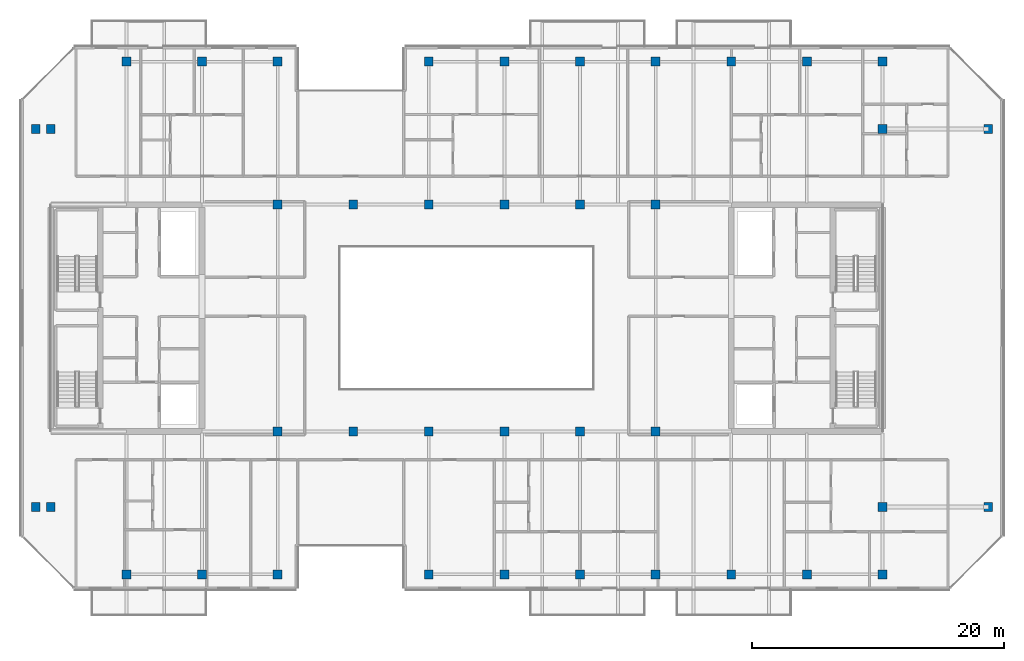
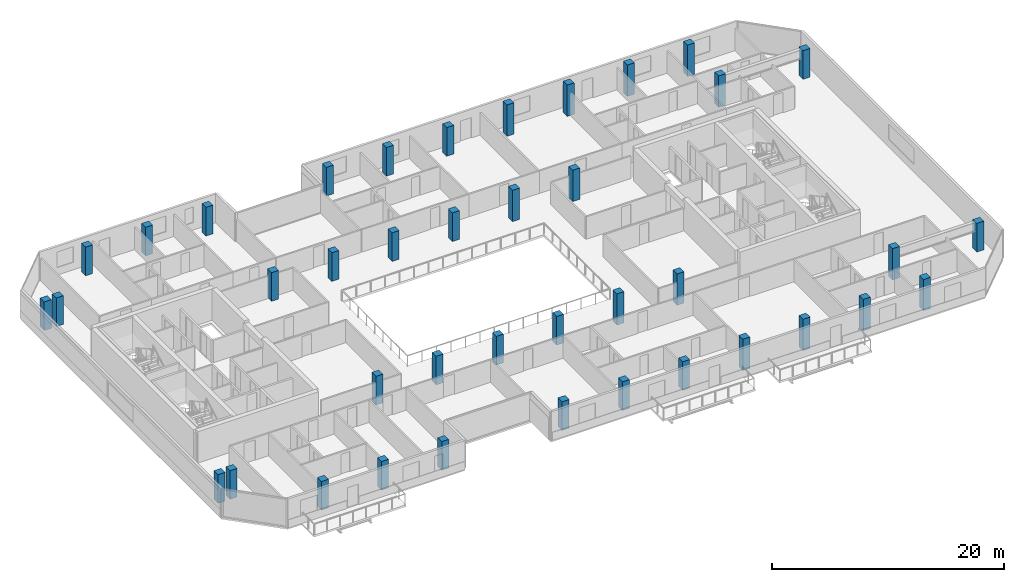
# One storey, part 1 of 24: 40 columns.
"""IFC4 building model written with IfcOpenShell, lengths in metres."""

from ifc_helpers import new_model, si_unit, direction, frame, origin, origin_2d, place, context, subcontext, project, spatial, rectangle, extrude, material, material_profile, profile_set, type_object, element, save


model = new_model("IFC4")

# Units and contexts
model_context = context("Model", 3, precision=1e-05, world=origin(), true_north=direction((0.0, 1.0)))
body_context = subcontext(model_context, "Body", "Model", "MODEL_VIEW")
ifc_project = project(units=[si_unit("LENGTHUNIT", "METRE"), si_unit("AREAUNIT", "SQUARE_METRE"), si_unit("VOLUMEUNIT", "CUBIC_METRE"), si_unit("PLANEANGLEUNIT", "RADIAN"), si_unit("MASSUNIT", "GRAM", prefix="KILO")], contexts=[model_context])

# Site, building, storey
site_placement = place(None, origin())
site = spatial("IfcSite", under=ifc_project, at=site_placement, CompositionType="ELEMENT")
building_placement = place(site_placement, origin())
building = spatial("IfcBuilding", under=site, at=building_placement, Name="Tanjung Sevakor Pilgrim Tower", CompositionType="ELEMENT")
storey_placement = place(building_placement, frame((0.0, 0.0, 226.050048828125)))
storey = spatial("IfcBuildingStorey", under=building, at=storey_placement, Name="L63", CompositionType="ELEMENT", Elevation=226.050048828125)

# Columns
ifc_material = material(Name="Concrete C60/75", Category="concrete")
ifc_material_profile = material_profile(ifc_material, rectangle(XDim=0.699951171875, YDim=0.699951171875, at=origin_2d()))
ifc_profile_set = profile_set([ifc_material_profile], Name="Concrete C60/75")
column_type = type_object("IfcColumnType", Name="COL-C-T700-RC_700x700", PredefinedType="COLUMN", material=ifc_profile_set)
for number, where, z_axis, x_axis, name in (
    (1, (42.0, 24.60009765625, 0.0), (0.0, 0.0, 1.0), (1.0, 0.0, 0.0), "L63 Column SPW-042-246"),
    (2, (42.0, 42.60009765625, 0.0), (0.0, 0.0, 1.0), (1.0, 0.0, 0.0), "L63 Column SPW-042-426"),
    (3, (48.0, 24.60009765625, 0.0), (0.0, 0.0, 1.0), (1.0, 0.0, 0.0), "L63 Column SPW-048-246"),
    (4, (48.0, 42.60009765625, 0.0), (0.0, 0.0, 1.0), (1.0, 0.0, 0.0), "L63 Column SPW-048-426"),
    (5, (54.0, 24.60009765625, 0.0), (0.0, 0.0, 1.0), (1.0, 0.0, 0.0), "L63 Column SPE-054-246"),
    (6, (54.0, 42.60009765625, 0.0), (0.0, 0.0, 1.0), (1.0, 0.0, 0.0), "L63 Column SPE-054-426"),
    (7, (60.0, 24.60009765625, 0.0), (0.0, 0.0, 1.0), (1.0, 0.0, 0.0), "L63 Column SPE-060-246"),
    (8, (60.0, 42.60009765625, 0.0), (0.0, 0.0, 1.0), (1.0, 0.0, 0.0), "L63 Column SPE-060-426"),
):
    element("IfcColumn", number, at=place(storey_placement, frame(where, z_axis=z_axis, x_axis=x_axis)), inside=storey, type_object=column_type, Name=name, PredefinedType="COLUMN", context=body_context, shape_type="SweptSolid", body=[
        extrude(rectangle(XDim=0.699951171875, YDim=0.699951171875, at=origin_2d()), origin(), (0.0, 0.0, 1.0), 3.02001953125),
    ])
for number, where, z_axis, x_axis, name in (
    (9, (66.0, 24.60009765625, 0.0), (0.0, 0.0, 1.0), (1.0, 0.0, 0.0), "L63 Column SPE-066-246"),
    (10, (66.0, 42.60009765625, 0.0), (0.0, 0.0, 1.0), (1.0, 0.0, 0.0), "L63 Column SPE-066-426"),
    (11, (72.0, 24.60009765625, 0.0), (0.0, 0.0, 1.0), (1.0, 0.0, 0.0), "L63 Column SPE-072-246"),
    (12, (72.0, 42.60009765625, 0.0), (0.0, 0.0, 1.0), (1.0, 0.0, 0.0), "L63 Column SPE-072-426"),
):
    element("IfcColumn", number, at=place(storey_placement, frame(where, z_axis=z_axis, x_axis=x_axis)), inside=storey, type_object=column_type, Name=name, PredefinedType="COLUMN", context=body_context, shape_type="SweptSolid", body=[
        extrude(rectangle(XDim=0.699951171875, YDim=0.699951171875, at=origin_2d()), origin(), (0.0, 0.0, 1.0), 3.300048828125),
    ])
for number, where, z_axis, x_axis, name in (
    (13, (22.800048828125, 18.60009765625, 0.0), (0.0, 0.0, 1.0), (1.0, 0.0, 0.0), "L63 Column TCE-0228-186"),
    (14, (22.800048828125, 48.60009765625, 0.0), (0.0, 0.0, 1.0), (1.0, 0.0, 0.0), "L63 Column TCE-0228-486"),
    (15, (24.0, 18.60009765625, 0.0), (0.0, 0.0, 1.0), (1.0, 0.0, 0.0), "L63 Column TCE-0240-186"),
    (16, (24.0, 48.60009765625, 0.0), (0.0, 0.0, 1.0), (1.0, 0.0, 0.0), "L63 Column TCE-0240-486"),
):
    element("IfcColumn", number, at=place(storey_placement, frame(where, z_axis=z_axis, x_axis=x_axis)), inside=storey, type_object=column_type, Name=name, PredefinedType="COLUMN", context=body_context, shape_type="SweptSolid", body=[
        extrude(rectangle(XDim=0.699951171875, YDim=0.699951171875, at=origin_2d()), origin(), (0.0, 0.0, 1.0), 3.02001953125),
    ])
for number, where, z_axis, x_axis, name in (
    (17, (90.0, 18.60009765625, 0.0), (0.0, 0.0, 1.0), (1.0, 0.0, 0.0), "L63 Column TCE-0900-186"),
    (18, (90.0, 48.60009765625, 0.0), (0.0, 0.0, 1.0), (1.0, 0.0, 0.0), "L63 Column TCE-0900-486"),
):
    element("IfcColumn", number, at=place(storey_placement, frame(where, z_axis=z_axis, x_axis=x_axis)), inside=storey, type_object=column_type, Name=name, PredefinedType="COLUMN", context=body_context, shape_type="SweptSolid", body=[
        extrude(rectangle(XDim=0.699951171875, YDim=0.699951171875, at=origin_2d()), origin(), (0.0, 0.0, 1.0), 3.300048828125),
    ])
for number, where, z_axis, x_axis, name in (
    (19, (98.39990234375, 18.60009765625, 0.0), (0.0, 0.0, 1.0), (1.0, 0.0, 0.0), "L63 Column TCE-0984-186"),
    (20, (98.39990234375, 48.60009765625, 0.0), (0.0, 0.0, 1.0), (1.0, 0.0, 0.0), "L63 Column TCE-0984-486"),
    (21, (30.0, 13.25, 0.0), (0.0, 0.0, 1.0), (1.0, 0.0, 0.0), "L63 Column TC4-030-132"),
    (22, (30.0, 53.949951171875, 0.0), (0.0, 0.0, 1.0), (1.0, 0.0, 0.0), "L63 Column TC4-030-540"),
    (23, (36.0, 13.25, 0.0), (0.0, 0.0, 1.0), (1.0, 0.0, 0.0), "L63 Column TC4-036-132"),
    (24, (36.0, 53.949951171875, 0.0), (0.0, 0.0, 1.0), (1.0, 0.0, 0.0), "L63 Column TC4-036-540"),
    (25, (42.0, 13.25, 0.0), (0.0, 0.0, 1.0), (1.0, 0.0, 0.0), "L63 Column TC4-042-132"),
    (26, (42.0, 53.949951171875, 0.0), (0.0, 0.0, 1.0), (1.0, 0.0, 0.0), "L63 Column TC4-042-540"),
    (27, (54.0, 13.25, 0.0), (0.0, 0.0, 1.0), (1.0, 0.0, 0.0), "L63 Column TC4-054-132"),
    (28, (54.0, 53.949951171875, 0.0), (0.0, 0.0, 1.0), (1.0, 0.0, 0.0), "L63 Column TC4-054-540"),
    (29, (60.0, 13.25, 0.0), (0.0, 0.0, 1.0), (1.0, 0.0, 0.0), "L63 Column TC4-060-132"),
    (30, (60.0, 53.949951171875, 0.0), (0.0, 0.0, 1.0), (1.0, 0.0, 0.0), "L63 Column TC4-060-540"),
    (31, (66.0, 13.25, 0.0), (0.0, 0.0, 1.0), (1.0, 0.0, 0.0), "L63 Column TC4-066-132"),
    (32, (66.0, 53.949951171875, 0.0), (0.0, 0.0, 1.0), (1.0, 0.0, 0.0), "L63 Column TC4-066-540"),
):
    element("IfcColumn", number, at=place(storey_placement, frame(where, z_axis=z_axis, x_axis=x_axis)), inside=storey, type_object=column_type, Name=name, PredefinedType="COLUMN", context=body_context, shape_type="SweptSolid", body=[
        extrude(rectangle(XDim=0.699951171875, YDim=0.699951171875, at=origin_2d()), origin(), (0.0, 0.0, 1.0), 3.02001953125),
    ])
for number, where, z_axis, x_axis, name in (
    (33, (72.0, 13.25, 0.0), (0.0, 0.0, 1.0), (1.0, 0.0, 0.0), "L63 Column TC4-072-132"),
    (34, (72.0, 53.949951171875, 0.0), (0.0, 0.0, 1.0), (1.0, 0.0, 0.0), "L63 Column TC4-072-540"),
    (35, (78.0, 13.25, 0.0), (0.0, 0.0, 1.0), (1.0, 0.0, 0.0), "L63 Column TC4-078-132"),
    (36, (78.0, 53.949951171875, 0.0), (0.0, 0.0, 1.0), (1.0, 0.0, 0.0), "L63 Column TC4-078-540"),
    (37, (84.0, 13.25, 0.0), (0.0, 0.0, 1.0), (1.0, 0.0, 0.0), "L63 Column TC4-084-132"),
    (38, (84.0, 53.949951171875, 0.0), (0.0, 0.0, 1.0), (1.0, 0.0, 0.0), "L63 Column TC4-084-540"),
    (39, (90.0, 13.25, 0.0), (0.0, 0.0, 1.0), (1.0, 0.0, 0.0), "L63 Column TC4-090-132"),
    (40, (90.0, 53.949951171875, 0.0), (0.0, 0.0, 1.0), (1.0, 0.0, 0.0), "L63 Column TC4-090-540"),
):
    element("IfcColumn", number, at=place(storey_placement, frame(where, z_axis=z_axis, x_axis=x_axis)), inside=storey, type_object=column_type, Name=name, PredefinedType="COLUMN", context=body_context, shape_type="SweptSolid", body=[
        extrude(rectangle(XDim=0.699951171875, YDim=0.699951171875, at=origin_2d()), origin(), (0.0, 0.0, 1.0), 3.300048828125),
    ])

save(model, "model.ifc")
